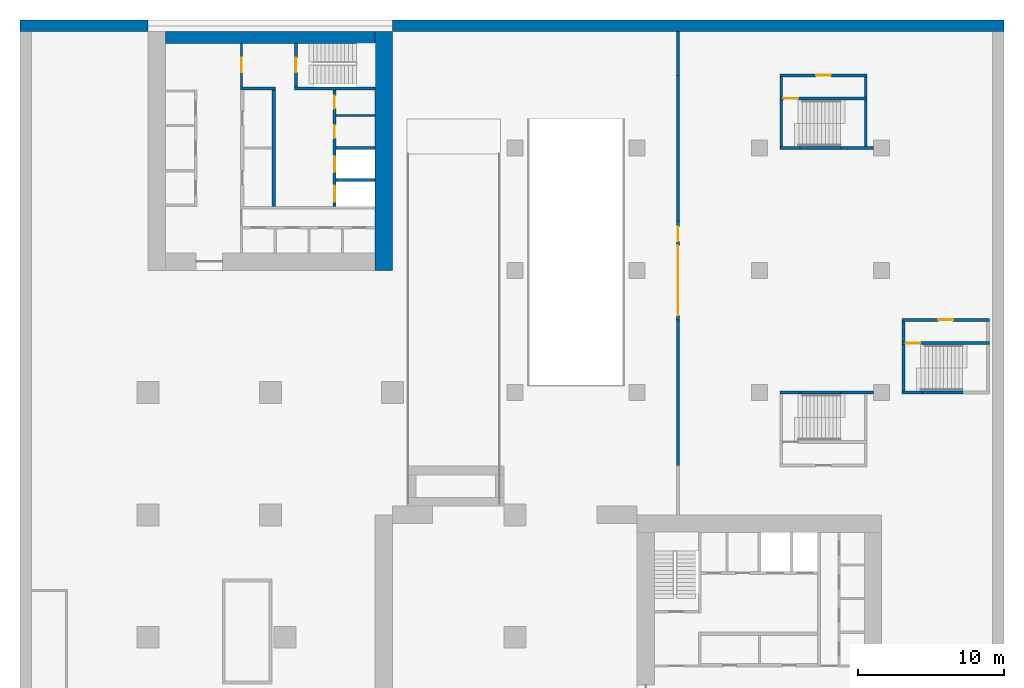
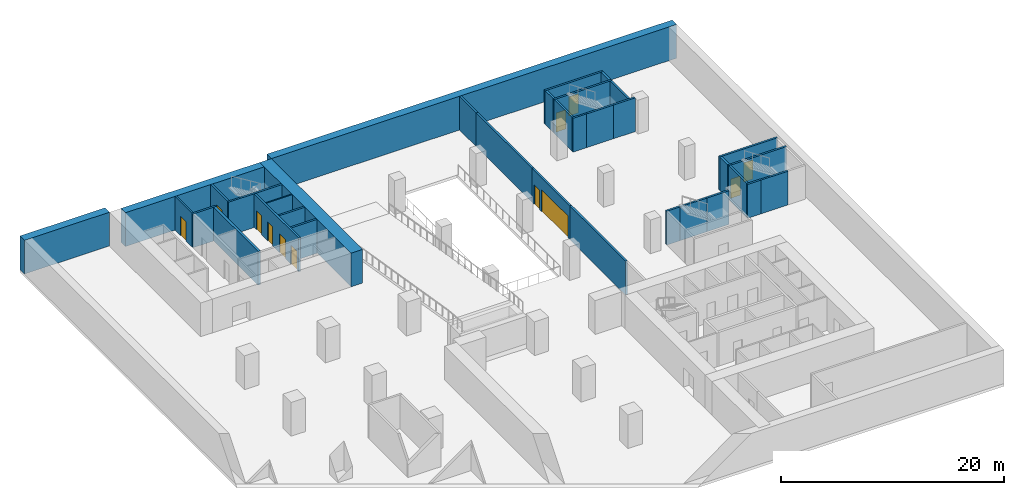
# One storey, part 5 of 7: 35 walls, 12 doors, 12 openings.
"""IFC4 building model written with IfcOpenShell, lengths in metres."""

import ifcopenshell
import ifcopenshell.guid

model = None  # the IFC model being written
_history = None  # IfcOwnerHistory: only IFC2X3 demands one
_inside = {}  # id of a spatial element -> (the spatial element, [elements in it])
_under = {}  # id of a project, library or spatial element -> (it, [spatial elements below it])
_declared = {}  # id of a project -> (the project, [libraries it declares])
_typed = {}  # id of a type object -> (the type object, [elements of that type])
_made_of = {}  # id of a material, layer set ... -> (it, [elements and type objects made of it])


def new_model(schema):
    """Start an empty IFC model of exactly this schema.

    Asked for "IFC4X3", IfcOpenShell would pick the latest addendum, in which some entities
    have other attributes; the version numbers below select the first issue.
    IFC2X3 requires an IfcOwnerHistory on every rooted entity: one is made here for all.
    """
    global model, _history
    if schema == "IFC4X3":
        model = ifcopenshell.file(schema_version=(4, 3, 0, 0))
    else:
        model = ifcopenshell.file(schema=schema)
    _inside.clear()
    _under.clear()
    _declared.clear()
    _typed.clear()
    _made_of.clear()
    _history = None
    if model.schema == "IFC2X3":
        org = make("IfcOrganization", Name="unknown")
        user = make(
            "IfcPersonAndOrganization",
            ThePerson=make("IfcPerson", FamilyName="unknown"),
            TheOrganization=org,
        )
        app = make(
            "IfcApplication",
            ApplicationDeveloper=org,
            Version="unknown",
            ApplicationFullName="unknown",
            ApplicationIdentifier="unknown",
        )
        _history = make(
            "IfcOwnerHistory",
            OwningUser=user,
            OwningApplication=app,
            ChangeAction="ADDED",
            CreationDate=0,
        )
    return model


def make(cls, **values):
    """One entity of the class cls with the attributes given. An attribute that is None is left unset."""
    return model.create_entity(
        cls, **{name: value for name, value in values.items() if value is not None}
    )


def rooted(cls, **values):
    """An entity with a GlobalId (a new one), such as an element, a storey or a relation."""
    return make(cls, GlobalId=ifcopenshell.guid.new(), OwnerHistory=_history, **values)


def si_unit(unit_type, name, prefix=None):
    """IfcSIUnit, for example si_unit("LENGTHUNIT", "METRE", prefix="MILLI")."""
    return make("IfcSIUnit", UnitType=unit_type, Prefix=prefix, Name=name)


def assignment(units):
    """IfcUnitAssignment: the units of a project."""
    return None if units is None else make("IfcUnitAssignment", Units=units)


def point(xyz):
    """IfcCartesianPoint."""
    return None if xyz is None else make("IfcCartesianPoint", Coordinates=xyz)


def direction(xyz):
    """IfcDirection."""
    return None if xyz is None else make("IfcDirection", DirectionRatios=xyz)


def frame(location, z_axis=None, x_axis=None):
    """IfcAxis2Placement3D, a coordinate frame: its origin and axes. An axis left out is left unset."""
    return make(
        "IfcAxis2Placement3D",
        Location=point(location),
        Axis=direction(z_axis),
        RefDirection=direction(x_axis),
    )


def frame_2d(location, x_axis=None):
    """IfcAxis2Placement2D, a coordinate frame in the plane: its origin and x axis."""
    return make(
        "IfcAxis2Placement2D", Location=point(location), RefDirection=direction(x_axis)
    )


def origin():
    """The frame at (0, 0, 0) with its axes left unset."""
    return frame((0.0, 0.0, 0.0))


def place(relative_to, where):
    """IfcLocalPlacement: puts the frame where relative to a parent placement (None: the world)."""
    return make(
        "IfcLocalPlacement", PlacementRelTo=relative_to, RelativePlacement=where
    )


def context(
    kind, dimensions, precision=None, world=None, true_north=None, identifier=None
):
    """IfcGeometricRepresentationContext, for example the 3D "Model" context."""
    return make(
        "IfcGeometricRepresentationContext",
        ContextIdentifier=identifier,
        ContextType=kind,
        CoordinateSpaceDimension=dimensions,
        Precision=precision,
        WorldCoordinateSystem=world,
        TrueNorth=true_north,
    )


def subcontext(parent, identifier, kind, view, scale=None):
    """IfcGeometricRepresentationSubContext, for example "Body" below "Model"."""
    return make(
        "IfcGeometricRepresentationSubContext",
        ContextIdentifier=identifier,
        ContextType=kind,
        ParentContext=parent,
        TargetScale=scale,
        TargetView=view,
    )


def project(units=None, contexts=None):
    """IfcProject with its units and contexts."""
    return rooted(
        "IfcProject",
        Name="project",
        RepresentationContexts=contexts,
        UnitsInContext=assignment(units),
    )


def spatial(cls, under=None, at=None, **own):
    """A site, building, storey or space (cls), placed at a placement, below another one or the project."""
    s = rooted(cls, ObjectPlacement=at, **own)
    if under is not None:
        _under.setdefault(under.id(), (under, []))[1].append(s)
    return s


def profile(cls, at=None, kind="AREA", **sizes):
    """A parametric profile (cls). Its sizes go by their IFC names, for example OverallWidth=200.0."""
    return make(cls, ProfileType=kind, Position=at, **sizes)


def rectangle(**sizes):
    """IfcRectangleProfileDef."""
    return profile("IfcRectangleProfileDef", **sizes)


def extrude(swept, where, along, depth):
    """IfcExtrudedAreaSolid: the profile swept, set in the frame where, extruded along a direction by depth."""
    return make(
        "IfcExtrudedAreaSolid",
        SweptArea=swept,
        Position=where,
        ExtrudedDirection=direction(along),
        Depth=depth,
    )


def shape(context_of_items, identifier, shape_type, items):
    """IfcShapeRepresentation: the items that make up one representation, for example the "Body"."""
    return make(
        "IfcShapeRepresentation",
        ContextOfItems=context_of_items,
        RepresentationIdentifier=identifier,
        RepresentationType=shape_type,
        Items=items,
    )


def material(Name=None, Category=None):
    """IfcMaterial."""
    return make("IfcMaterial", Name=Name, Category=Category)


def layer(
    of_material, thickness, ventilated=None, Name=None, Category=None, Priority=None
):
    """IfcMaterialLayer: one layer of a wall or slab, of a material (None: an air gap)."""
    return make(
        "IfcMaterialLayer",
        Material=of_material,
        LayerThickness=thickness,
        IsVentilated=ventilated,
        Name=Name,
        Category=Category,
        Priority=Priority,
    )


def layer_set(layers, Name=None):
    """IfcMaterialLayerSet."""
    return make("IfcMaterialLayerSet", MaterialLayers=layers, LayerSetName=Name)


def made_of(thing, what):
    """Note that an element or type object is made of a material, layer set ...; save() writes the relation."""
    if what is not None:
        _made_of.setdefault(what.id(), (what, []))[1].append(thing)
    return thing


def type_object(cls, material=None, **own):
    """A type object (cls), such as IfcWallType, which elements share."""
    return made_of(rooted(cls, **own), material)


def element(
    cls,
    number,
    at=None,
    inside=None,
    cuts=None,
    type_object=None,
    material=None,
    context=None,
    identifier="Body",
    shape_type=None,
    held_by="IfcProductDefinitionShape",
    body=None,
    shapes=None,
    **own,
):
    """One element of the class cls, such as IfcWall. Its Tag is "e" and its number.

    at: its placement. inside: the storey or other place that contains it. cuts: it is an
    opening in that element (IfcRelVoidsElement). A single representation is given by context,
    identifier, shape_type and body (its items); several are given by shapes. held_by: the class
    of the entity that holds the representations. save() writes the other relations.
    """
    e = rooted(cls, Tag="e%d" % number, ObjectPlacement=at, **own)
    if body is not None:
        shapes = [shape(context, identifier, shape_type, body)]
    if shapes is not None:
        e.Representation = make(held_by, Representations=shapes)
    if inside is not None:
        _inside.setdefault(inside.id(), (inside, []))[1].append(e)
    if cuts is not None:
        rooted(
            "IfcRelVoidsElement", RelatingBuildingElement=cuts, RelatedOpeningElement=e
        )
    if type_object is not None:
        _typed.setdefault(type_object.id(), (type_object, []))[1].append(e)
    return made_of(e, material)


def fill(opening, filler):
    """IfcRelFillsElement: the door or window that sits in an opening."""
    return rooted(
        "IfcRelFillsElement",
        RelatingOpeningElement=opening,
        RelatedBuildingElement=filler,
    )


def aggregate(whole, parts):
    """IfcRelAggregates: a whole, such as a stair, and the parts it consists of."""
    return rooted("IfcRelAggregates", RelatingObject=whole, RelatedObjects=parts)


def save(model, path):
    """Write the relations noted so far, then the file.

    IfcRelAggregates (storeys below a building ...), IfcRelContainedInSpatialStructure (elements
    in a storey), IfcRelDefinesByType, IfcRelAssociatesMaterial and IfcRelDeclares: one each for
    every whole, place, type object, material and project.
    """
    for whole, parts in _under.values():
        aggregate(whole, parts)
    for where, things in _inside.values():
        rooted(
            "IfcRelContainedInSpatialStructure",
            RelatedElements=things,
            RelatingStructure=where,
        )
    for kind, things in _typed.values():
        rooted("IfcRelDefinesByType", RelatedObjects=things, RelatingType=kind)
    for what, things in _made_of.values():
        rooted("IfcRelAssociatesMaterial", RelatedObjects=things, RelatingMaterial=what)
    for by, libraries in _declared.values():
        rooted("IfcRelDeclares", RelatingContext=by, RelatedDefinitions=libraries)
    model.write(path)


model = new_model("IFC4")

# Units and contexts
model_context = context("Model", 3, precision=1e-05, world=origin(), true_north=direction((0.0, 1.0)))
body_context = subcontext(model_context, "Body", "Model", "MODEL_VIEW")
ifc_project = project(units=[si_unit("LENGTHUNIT", "METRE"), si_unit("AREAUNIT", "SQUARE_METRE"), si_unit("VOLUMEUNIT", "CUBIC_METRE"), si_unit("PLANEANGLEUNIT", "RADIAN"), si_unit("MASSUNIT", "GRAM", prefix="KILO")], contexts=[model_context])

# Site, building, storey
site_placement = place(None, origin())
site = spatial("IfcSite", under=ifc_project, at=site_placement, CompositionType="ELEMENT")
building_placement = place(site_placement, origin())
building = spatial("IfcBuilding", under=site, at=building_placement, Name="Vermilion Gate Residences", CompositionType="ELEMENT")
storey_placement = place(building_placement, frame((0.0, 0.0, -12.0)))
storey = spatial("IfcBuildingStorey", under=building, at=storey_placement, Name="B3", CompositionType="ELEMENT", Elevation=-12.0)

# Wall
ifc_material_1 = material(Name="Masonry blockwork", Category="masonry")
ifc_layer_1 = layer(ifc_material_1, 0.14990234375)
ifc_layer_set_1 = layer_set([ifc_layer_1], Name="BLOCKWORK PARTITION 150 EI 120")
wall_type_1 = type_object("IfcWallType", Name="BLOCKWORK PARTITION 150 EI 120", PredefinedType="PARTITIONING", material=ifc_layer_set_1)
wall_1_placement = place(storey_placement, frame((21.300048828125, 52.637451171875, 0.0), z_axis=(0.0, 0.0, 1.0), x_axis=(1.0, 0.0, 0.0)))
element("IfcWall", 1, at=wall_1_placement, inside=storey, type_object=wall_type_1, Name="Core room partition BB3-NR-P0", PredefinedType="PARTITIONING", context=body_context, shape_type="SweptSolid", body=[
    extrude(rectangle(XDim=2.699951171875, YDim=0.14990234375, at=frame_2d((1.35009765625, 0.0))), origin(), (0.0, 0.0, 1.0), 3.699951171875),
])

# Wall, opening, door
wall_2_placement = place(storey_placement, frame((14.824951171875, 57.60009765625, 0.0), z_axis=(0.0, 0.0, 1.0), x_axis=(0.0, -1.0, 0.0)))
wall_2 = element("IfcWall", 2, at=wall_2_placement, inside=storey, type_object=wall_type_1, Name="Core room partition BB3-VW-S", PredefinedType="PARTITIONING", context=body_context, shape_type="SweptSolid", body=[
    extrude(rectangle(XDim=3.0, YDim=0.14990234375, at=frame_2d((1.5, 0.0))), origin(), (0.0, 0.0, 1.0), 3.699951171875),
])
opening_1_placement = place(wall_2_placement, frame((1.0, 0.0, 0.0)))
opening_1 = element("IfcOpeningElement", 3, at=opening_1_placement, cuts=wall_2, Name="Opening DKB3111", PredefinedType="OPENING", context=body_context, shape_type="SweptSolid", body=[
    extrude(rectangle(XDim=1.0, YDim=2.10009765625, at=frame_2d((0.5, 1.050048828125))), frame((0.0, 0.0849609375, 0.0), z_axis=(0.0, -1.0, 0.0), x_axis=(1.0, 0.0, 0.0)), (0.0, 0.0, 1.0), 0.169921875),
])
ifc_material_2 = material(Name="Steel", Category="steel")
door_type_1 = type_object("IfcDoorType", Name="FIRE DOOR FD60 1000 X 2100", OperationType="SINGLE_SWING_LEFT", PredefinedType="DOOR", material=ifc_material_2)
door_1_placement = place(opening_1_placement, frame((1.0, 0.0, 0.0), z_axis=(0.0, 0.0, 1.0), x_axis=(-1.0, 0.0, 0.0)))
door_1 = element("IfcDoor", 4, at=door_1_placement, inside=storey, type_object=door_type_1, Name="Stair vestibule door BB3", OperationType="SINGLE_SWING_RIGHT", OverallHeight=2.10009765625, OverallWidth=1.0, PredefinedType="DOOR", context=body_context, shape_type="SweptSolid", body=[
    extrude(rectangle(XDim=1.0, YDim=2.10009765625, at=frame_2d((0.5, 1.050048828125))), frame((0.0, 0.02490234375, 0.0), z_axis=(0.0, -1.0, 0.0), x_axis=(1.0, 0.0, 0.0)), (0.0, 0.0, 1.0), 0.050048828125),
])
fill(opening_1, door_1)

# Wall
ifc_material_3 = material(Name="Concrete blockwork", Category="masonry")
ifc_layer_2 = layer(ifc_material_3, 0.199951171875)
ifc_layer_set_2 = layer_set([ifc_layer_2], Name="GARAGE FIRE WALL 200 EI 120 (AMENITY)")
wall_type_2 = type_object("IfcWallType", Name="GARAGE FIRE WALL 200 EI 120 (AMENITY)", PredefinedType="PARTITIONING", material=ifc_layer_set_2)
wall_3_placement = place(storey_placement, frame((44.800048828125, 28.60009765625, 0.0), z_axis=(0.0, 0.0, 1.0), x_axis=(0.0, 1.0, 0.0)))
element("IfcWall", 5, at=wall_3_placement, inside=storey, type_object=wall_type_2, Name="Fire compartment wall", PredefinedType="PARTITIONING", context=body_context, shape_type="SweptSolid", body=[
    extrude(rectangle(XDim=10.0, YDim=0.199951171875, at=frame_2d((5.0, 0.0))), origin(), (0.0, 0.0, 1.0), 3.699951171875),
])

# Wall, openings, doors
wall_4_placement = place(storey_placement, frame((44.800048828125, 38.60009765625, 0.0), z_axis=(0.0, 0.0, 1.0), x_axis=(0.0, 1.0, 0.0)))
wall_4 = element("IfcWall", 6, at=wall_4_placement, inside=storey, type_object=wall_type_2, Name="Fire compartment wall", PredefinedType="PARTITIONING", context=body_context, shape_type="SweptSolid", body=[
    extrude(rectangle(XDim=6.7998046875, YDim=0.199951171875, at=frame_2d((3.39990234375, 0.0))), origin(), (0.0, 0.0, 1.0), 3.699951171875),
])
opening_2_placement = place(wall_4_placement, frame((0.300048828125, 0.0, 0.0)))
opening_2 = element("IfcOpeningElement", 7, at=opening_2_placement, cuts=wall_4, Name="Opening DGB3001", PredefinedType="OPENING", context=body_context, shape_type="SweptSolid", body=[
    extrude(rectangle(XDim=4.800048828125, YDim=2.39990234375, at=frame_2d((2.39990234375, 1.199951171875))), frame((0.0, 0.10986328125, 0.0), z_axis=(0.0, -1.0, 0.0), x_axis=(1.0, 0.0, 0.0)), (0.0, 0.0, 1.0), 0.219970703125),
])
opening_3_placement = place(wall_4_placement, frame((5.39990234375, 0.0, 0.0)))
opening_3 = element("IfcOpeningElement", 8, at=opening_3_placement, cuts=wall_4, Name="Opening DGB3002", PredefinedType="OPENING", context=body_context, shape_type="SweptSolid", body=[
    extrude(rectangle(XDim=1.0, YDim=2.10009765625, at=frame_2d((0.5, 1.050048828125))), frame((0.0, 0.10986328125, 0.0), z_axis=(0.0, -1.0, 0.0), x_axis=(1.0, 0.0, 0.0)), (0.0, 0.0, 1.0), 0.219970703125),
])
ifc_material_4 = material(Name="Steel", Category="steel")
door_type_2 = type_object("IfcDoorType", Name="DOOR 1000 X 2100 FD120 (AMENITY)", OperationType="SINGLE_SWING_LEFT", PredefinedType="DOOR", material=ifc_material_4)
door_2_placement = place(opening_3_placement, frame((1.0, 0.0, 0.0), z_axis=(0.0, 0.0, 1.0), x_axis=(-1.0, 0.0, 0.0)))
door_2 = element("IfcDoor", 9, at=door_2_placement, inside=storey, type_object=door_type_2, Name="Fire door", OperationType="SINGLE_SWING_RIGHT", OverallHeight=2.10009765625, OverallWidth=1.0, PredefinedType="DOOR", context=body_context, shape_type="SweptSolid", body=[
    extrude(rectangle(XDim=1.0, YDim=2.10009765625, at=frame_2d((0.5, 1.050048828125))), frame((0.0, 0.02490234375, 0.0), z_axis=(0.0, -1.0, 0.0), x_axis=(1.0, 0.0, 0.0)), (0.0, 0.0, 1.0), 0.050048828125),
])
fill(opening_3, door_2)
ifc_material_5 = material(Name="Steel", Category="steel")
door_type_3 = type_object("IfcDoorType", Name="FIRE SHUTTER 4800 X 2400 (AMENITY)", OperationType="ROLLINGUP", PredefinedType="GATE", material=ifc_material_5)
door_3_placement = place(opening_2_placement, origin())
door_3 = element("IfcDoor", 10, at=door_3_placement, inside=storey, type_object=door_type_3, Name="Fire shutter", OperationType="ROLLINGUP", OverallHeight=2.39990234375, OverallWidth=4.800048828125, PredefinedType="GATE", context=body_context, shape_type="SweptSolid", body=[
    extrude(rectangle(XDim=4.800048828125, YDim=2.39990234375, at=frame_2d((2.39990234375, 1.199951171875))), frame((0.0, 0.02490234375, 0.0), z_axis=(0.0, -1.0, 0.0), x_axis=(1.0, 0.0, 0.0)), (0.0, 0.0, 1.0), 0.050048828125),
])
fill(opening_2, door_3)

# Walls
wall_5_placement = place(storey_placement, frame((44.800048828125, 45.39990234375, 0.0), z_axis=(0.0, 0.0, 1.0), x_axis=(0.0, 1.0, 0.0)))
element("IfcWall", 11, at=wall_5_placement, inside=storey, type_object=wall_type_2, Name="Fire compartment wall", PredefinedType="PARTITIONING", context=body_context, shape_type="SweptSolid", body=[
    extrude(rectangle(XDim=10.0, YDim=0.199951171875, at=frame_2d((5.0, 0.0))), origin(), (0.0, 0.0, 1.0), 3.699951171875),
])
wall_6_placement = place(storey_placement, frame((44.800048828125, 55.39990234375, 0.0), z_axis=(0.0, 0.0, 1.0), x_axis=(0.0, 1.0, 0.0)))
element("IfcWall", 12, at=wall_6_placement, inside=storey, type_object=wall_type_2, Name="Fire compartment wall", PredefinedType="PARTITIONING", context=body_context, shape_type="SweptSolid", body=[
    extrude(rectangle(XDim=3.0, YDim=0.199951171875, at=frame_2d((1.5, 0.0))), origin(), (0.0, 0.0, 1.0), 3.699951171875),
])
ifc_material_6 = material(Name="Concrete C60", Category="concrete")
ifc_layer_3 = layer(ifc_material_6, 0.199951171875)
ifc_layer_set_3 = layer_set([ifc_layer_3], Name="RC CORE INTERNAL WALL 200 C60")
wall_type_3 = type_object("IfcWallType", Name="RC CORE INTERNAL WALL 200 C60", PredefinedType="SHEAR", material=ifc_layer_set_3)
for number, where, z_axis, x_axis, name in (
    (13, (21.300048828125, 50.39990234375, 0.0), (0.0, 0.0, 1.0), (1.0, 0.0, 0.0), "Core internal wall BB3-FF-D0"),
    (14, (21.300048828125, 48.199951171875, 0.0), (0.0, 0.0, 1.0), (1.0, 0.0, 0.0), "Core internal wall BB3-FF-D1"),
):
    element("IfcWall", number, at=place(storey_placement, frame(where, z_axis=z_axis, x_axis=x_axis)), inside=storey, type_object=wall_type_3, Name=name, PredefinedType="SHEAR", context=body_context, shape_type="SweptSolid", body=[
        extrude(rectangle(XDim=2.699951171875, YDim=0.199951171875, at=frame_2d((1.35009765625, 0.0))), origin(), (0.0, 0.0, 1.0), 3.699951171875),
    ])

# Wall, openings, doors
wall_7_placement = place(storey_placement, frame((21.199951171875, 54.39990234375, 0.0), z_axis=(0.0, 0.0, 1.0), x_axis=(0.0, -1.0, 0.0)))
wall_7 = element("IfcWall", 15, at=wall_7_placement, inside=storey, type_object=wall_type_3, Name="Core internal wall BB3-FF-F", PredefinedType="SHEAR", context=body_context, shape_type="SweptSolid", body=[
    extrude(rectangle(XDim=8.0, YDim=0.199951171875, at=frame_2d((4.0, 0.0))), origin(), (0.0, 0.0, 1.0), 3.699951171875),
])
opening_4_placement = place(wall_7_placement, frame((0.393798828125, 0.0, 0.0)))
opening_4 = element("IfcOpeningElement", 16, at=opening_4_placement, cuts=wall_7, Name="Opening DKB3107", PredefinedType="OPENING", context=body_context, shape_type="SweptSolid", body=[
    extrude(rectangle(XDim=0.89990234375, YDim=2.10009765625, at=frame_2d((0.449951171875, 1.050048828125))), frame((0.0, 0.10986328125, 0.0), z_axis=(0.0, -1.0, 0.0), x_axis=(1.0, 0.0, 0.0)), (0.0, 0.0, 1.0), 0.219970703125),
])
opening_5_placement = place(wall_7_placement, frame((2.418701171875, 0.0, 0.0)))
opening_5 = element("IfcOpeningElement", 17, at=opening_5_placement, cuts=wall_7, Name="Opening DKB3108", PredefinedType="OPENING", context=body_context, shape_type="SweptSolid", body=[
    extrude(rectangle(XDim=0.89990234375, YDim=2.10009765625, at=frame_2d((0.449951171875, 1.050048828125))), frame((0.0, 0.10986328125, 0.0), z_axis=(0.0, -1.0, 0.0), x_axis=(1.0, 0.0, 0.0)), (0.0, 0.0, 1.0), 0.219970703125),
])
opening_6_placement = place(wall_7_placement, frame((4.550048828125, 0.0, 0.0)))
opening_6 = element("IfcOpeningElement", 18, at=opening_6_placement, cuts=wall_7, Name="Opening LD", PredefinedType="OPENING", context=body_context, shape_type="SweptSolid", body=[
    extrude(rectangle(XDim=1.10009765625, YDim=2.10009765625, at=frame_2d((0.550048828125, 1.050048828125))), frame((0.0, 0.10986328125, 0.0), z_axis=(0.0, -1.0, 0.0), x_axis=(1.0, 0.0, 0.0)), (0.0, 0.0, 1.0), 0.219970703125),
])
opening_7_placement = place(wall_7_placement, frame((6.60009765625, 0.0, 0.0)))
opening_7 = element("IfcOpeningElement", 19, at=opening_7_placement, cuts=wall_7, Name="Opening LD", PredefinedType="OPENING", context=body_context, shape_type="SweptSolid", body=[
    extrude(rectangle(XDim=1.10009765625, YDim=2.10009765625, at=frame_2d((0.550048828125, 1.050048828125))), frame((0.0, 0.10986328125, 0.0), z_axis=(0.0, -1.0, 0.0), x_axis=(1.0, 0.0, 0.0)), (0.0, 0.0, 1.0), 0.219970703125),
])
ifc_material_7 = material(Name="Stainless steel", Category="steel")
door_type_4 = type_object("IfcDoorType", Name="LIFT LANDING DOOR E60 1100 X 2100", OperationType="DOUBLE_DOOR_SLIDING", PredefinedType="DOOR", material=ifc_material_7)
door_4_placement = place(opening_6_placement, origin())
door_4 = element("IfcDoor", 20, at=door_4_placement, inside=storey, type_object=door_type_4, Name="Lift landing door LFB1", OperationType="DOUBLE_DOOR_SLIDING", OverallHeight=2.10009765625, OverallWidth=1.10009765625, PredefinedType="DOOR", context=body_context, shape_type="SweptSolid", body=[
    extrude(rectangle(XDim=1.10009765625, YDim=2.10009765625, at=frame_2d((0.550048828125, 1.050048828125))), frame((0.0, 0.02490234375, 0.0), z_axis=(0.0, -1.0, 0.0), x_axis=(1.0, 0.0, 0.0)), (0.0, 0.0, 1.0), 0.050048828125),
])
fill(opening_6, door_4)
door_5_placement = place(opening_7_placement, origin())
door_5 = element("IfcDoor", 21, at=door_5_placement, inside=storey, type_object=door_type_4, Name="Lift landing door LCB1", OperationType="DOUBLE_DOOR_SLIDING", OverallHeight=2.10009765625, OverallWidth=1.10009765625, PredefinedType="DOOR", context=body_context, shape_type="SweptSolid", body=[
    extrude(rectangle(XDim=1.10009765625, YDim=2.10009765625, at=frame_2d((0.550048828125, 1.050048828125))), frame((0.0, 0.02490234375, 0.0), z_axis=(0.0, -1.0, 0.0), x_axis=(1.0, 0.0, 0.0)), (0.0, 0.0, 1.0), 0.050048828125),
])
fill(opening_7, door_5)
ifc_material_8 = material(Name="Steel", Category="steel")
door_type_5 = type_object("IfcDoorType", Name="SERVICE ROOM DOOR FD60 900 X 2100", OperationType="SINGLE_SWING_LEFT", PredefinedType="DOOR", material=ifc_material_8)
door_6_placement = place(opening_4_placement, origin())
door_6 = element("IfcDoor", 22, at=door_6_placement, inside=storey, type_object=door_type_5, Name="Parcel room BB3", OperationType="SINGLE_SWING_RIGHT", OverallHeight=2.10009765625, OverallWidth=0.89990234375, PredefinedType="DOOR", context=body_context, shape_type="SweptSolid", body=[
    extrude(rectangle(XDim=0.89990234375, YDim=2.10009765625, at=frame_2d((0.449951171875, 1.050048828125))), frame((0.0, 0.02490234375, 0.0), z_axis=(0.0, -1.0, 0.0), x_axis=(1.0, 0.0, 0.0)), (0.0, 0.0, 1.0), 0.050048828125),
])
fill(opening_4, door_6)
door_7_placement = place(opening_5_placement, frame((0.89990234375, 0.0, 0.0), z_axis=(0.0, 0.0, 1.0), x_axis=(-1.0, 0.0, 0.0)))
door_7 = element("IfcDoor", 23, at=door_7_placement, inside=storey, type_object=door_type_5, Name="Electrical room BB3", OperationType="SINGLE_SWING_RIGHT", OverallHeight=2.10009765625, OverallWidth=0.89990234375, PredefinedType="DOOR", context=body_context, shape_type="SweptSolid", body=[
    extrude(rectangle(XDim=0.89990234375, YDim=2.10009765625, at=frame_2d((0.449951171875, 1.050048828125))), frame((0.0, 0.02490234375, 0.0), z_axis=(0.0, -1.0, 0.0), x_axis=(1.0, 0.0, 0.0)), (0.0, 0.0, 1.0), 0.050048828125),
])
fill(opening_5, door_7)

# Walls
wall_8_placement = place(storey_placement, frame((14.75, 54.5, 0.0), z_axis=(0.0, 0.0, 1.0), x_axis=(1.0, 0.0, 0.0)))
element("IfcWall", 24, at=wall_8_placement, inside=storey, type_object=wall_type_3, Name="Core internal wall BB3-WDIV1", PredefinedType="SHEAR", context=body_context, shape_type="SweptSolid", body=[
    extrude(rectangle(XDim=2.39990234375, YDim=0.199951171875, at=frame_2d((1.199951171875, 0.0))), origin(), (0.0, 0.0, 1.0), 3.699951171875),
])
wall_9_placement = place(storey_placement, frame((18.449951171875, 54.5, 0.0), z_axis=(0.0, 0.0, 1.0), x_axis=(1.0, 0.0, 0.0)))
element("IfcWall", 25, at=wall_9_placement, inside=storey, type_object=wall_type_3, Name="Core internal wall BB3-WDIV2", PredefinedType="SHEAR", context=body_context, shape_type="SweptSolid", body=[
    extrude(rectangle(XDim=5.550048828125, YDim=0.199951171875, at=frame_2d((2.77490234375, 0.0))), origin(), (0.0, 0.0, 1.0), 3.699951171875),
])

# Wall, opening, door
wall_10_placement = place(storey_placement, frame((18.550048828125, 57.60009765625, 0.0), z_axis=(0.0, 0.0, 1.0), x_axis=(0.0, -1.0, 0.0)))
wall_10 = element("IfcWall", 26, at=wall_10_placement, inside=storey, type_object=wall_type_3, Name="Core internal wall BB3-STW-S", PredefinedType="SHEAR", context=body_context, shape_type="SweptSolid", body=[
    extrude(rectangle(XDim=3.0, YDim=0.199951171875, at=frame_2d((1.5, 0.0))), origin(), (0.0, 0.0, 1.0), 3.699951171875),
])
opening_8_placement = place(wall_10_placement, frame((1.0, 0.0, 0.0)))
opening_8 = element("IfcOpeningElement", 27, at=opening_8_placement, cuts=wall_10, Name="Opening DKB3112", PredefinedType="OPENING", context=body_context, shape_type="SweptSolid", body=[
    extrude(rectangle(XDim=1.0, YDim=2.10009765625, at=frame_2d((0.5, 1.050048828125))), frame((0.0, 0.10986328125, 0.0), z_axis=(0.0, -1.0, 0.0), x_axis=(1.0, 0.0, 0.0)), (0.0, 0.0, 1.0), 0.219970703125),
])
door_8_placement = place(opening_8_placement, origin())
door_8 = element("IfcDoor", 28, at=door_8_placement, inside=storey, type_object=door_type_1, Name="Stair door BB3", OperationType="SINGLE_SWING_LEFT", OverallHeight=2.10009765625, OverallWidth=1.0, PredefinedType="DOOR", context=body_context, shape_type="SweptSolid", body=[
    extrude(rectangle(XDim=1.0, YDim=2.10009765625, at=frame_2d((0.5, 1.050048828125))), frame((0.0, 0.02490234375, 0.0), z_axis=(0.0, -1.0, 0.0), x_axis=(1.0, 0.0, 0.0)), (0.0, 0.0, 1.0), 0.050048828125),
])
fill(opening_8, door_8)

# Walls
ifc_material_9 = material(Name="Concrete C80", Category="concrete")
ifc_layer_4 = layer(ifc_material_9, 1.199951171875)
ifc_layer_set_4 = layer_set([ifc_layer_4], Name="RC CORE WALL 1200 C80")
wall_type_4 = type_object("IfcWallType", Name="RC CORE WALL 1200 C80", PredefinedType="SHEAR", material=ifc_layer_set_4)
wall_11_placement = place(storey_placement, frame((24.60009765625, 58.39990234375, 0.0), z_axis=(0.0, 0.0, 1.0), x_axis=(0.0, -1.0, 0.0)))
element("IfcWall", 29, at=wall_11_placement, inside=storey, type_object=wall_type_4, Name="Core wall BB3-OUT-B1", PredefinedType="SHEAR", context=body_context, shape_type="SweptSolid", body=[
    extrude(rectangle(XDim=16.39990234375, YDim=1.199951171875, at=frame_2d((8.199951171875, 0.0))), origin(), (0.0, 0.0, 1.0), 3.699951171875),
])
ifc_material_10 = material(Name="Concrete C80", Category="concrete")
ifc_layer_5 = layer(ifc_material_10, 0.800048828125)
ifc_layer_set_5 = layer_set([ifc_layer_5], Name="RC CORE WALL 800 C80")
wall_type_5 = type_object("IfcWallType", Name="RC CORE WALL 800 C80", PredefinedType="SHEAR", material=ifc_layer_set_5)
wall_12_placement = place(storey_placement, frame((9.60009765625, 58.0, 0.0), z_axis=(0.0, 0.0, 1.0), x_axis=(1.0, 0.0, 0.0)))
element("IfcWall", 30, at=wall_12_placement, inside=storey, type_object=wall_type_5, Name="Core wall BB3-OUT-FR", PredefinedType="SHEAR", context=body_context, shape_type="SweptSolid", body=[
    extrude(rectangle(XDim=14.39990234375, YDim=0.800048828125, at=frame_2d((7.199951171875, 0.0))), origin(), (0.0, 0.0, 1.0), 3.699951171875),
])
ifc_material_11 = material(Name="Concrete C40", Category="concrete")
ifc_layer_6 = layer(ifc_material_11, 0.800048828125)
ifc_layer_set_6 = layer_set([ifc_layer_6], Name="RC DIAPHRAGM WALL 800 C40")
wall_type_6 = type_object("IfcWallType", Name="RC DIAPHRAGM WALL 800 C40", PredefinedType="SOLIDWALL", material=ifc_layer_set_6)
wall_13_placement = place(storey_placement, frame((25.199951171875, 58.800048828125, 0.0), z_axis=(0.0, 0.0, 1.0), x_axis=(1.0, 0.0, 0.0)))
element("IfcWall", 31, at=wall_13_placement, inside=storey, type_object=wall_type_6, Name="Diaphragm wall B3 1", PredefinedType="SOLIDWALL", context=body_context, shape_type="SweptSolid", body=[
    extrude(rectangle(XDim=42.0, YDim=0.800048828125, at=frame_2d((21.0, 0.0))), origin(), (0.0, 0.0, 1.0), 3.699951171875),
])
wall_14_placement = place(storey_placement, frame((-0.39990234375, 58.800048828125, 0.0), z_axis=(0.0, 0.0, 1.0), x_axis=(1.0, 0.0, 0.0)))
element("IfcWall", 32, at=wall_14_placement, inside=storey, type_object=wall_type_6, Name="Diaphragm wall B3 2", PredefinedType="SOLIDWALL", context=body_context, shape_type="SweptSolid", body=[
    extrude(rectangle(XDim=8.7998046875, YDim=0.800048828125, at=frame_2d((4.39990234375, 0.0))), origin(), (0.0, 0.0, 1.0), 3.699951171875),
])
ifc_material_12 = material(Name="Concrete C60", Category="concrete")
ifc_layer_7 = layer(ifc_material_12, 0.25)
ifc_layer_set_7 = layer_set([ifc_layer_7], Name="RC LIFT SHAFT WALL 250 C60")
wall_type_7 = type_object("IfcWallType", Name="RC LIFT SHAFT WALL 250 C60", PredefinedType="SHEAR", material=ifc_layer_set_7)
wall_15_placement = place(storey_placement, frame((17.02490234375, 54.39990234375, 0.0), z_axis=(0.0, 0.0, 1.0), x_axis=(0.0, -1.0, 0.0)))
element("IfcWall", 33, at=wall_15_placement, inside=storey, type_object=wall_type_7, Name="Lift shaft wall BB3-HR-B", PredefinedType="SHEAR", context=body_context, shape_type="SweptSolid", body=[
    extrude(rectangle(XDim=8.0, YDim=0.25, at=frame_2d((4.0, 0.0))), origin(), (0.0, 0.0, 1.0), 3.699951171875),
])
ifc_material_13 = material(Name="Concrete C40", Category="concrete")
ifc_layer_8 = layer(ifc_material_13, 0.199951171875)
ifc_layer_set_8 = layer_set([ifc_layer_8], Name="RC STAIR AND SHAFT WALL 200 EI 180 C40 (AMENITY)")
wall_type_8 = type_object("IfcWallType", Name="RC STAIR AND SHAFT WALL 200 EI 180 C40 (AMENITY)", PredefinedType="SOLIDWALL", material=ifc_layer_set_8)
wall_16_placement = place(storey_placement, frame((51.800048828125, 33.60009765625, 0.0), z_axis=(0.0, 0.0, 1.0), x_axis=(1.0, 0.0, 0.0)))
element("IfcWall", 34, at=wall_16_placement, inside=storey, type_object=wall_type_8, Name="Stair and shaft wall 15", PredefinedType="SOLIDWALL", context=body_context, shape_type="SweptSolid", body=[
    extrude(rectangle(XDim=1.39990234375, YDim=0.199951171875, at=frame_2d((0.699951171875, 0.0))), origin(), (0.0, 0.0, 1.0), 3.699951171875),
])
wall_17_placement = place(storey_placement, frame((51.89990234375, 50.5, 0.0), z_axis=(0.0, 0.0, 1.0), x_axis=(0.0, 1.0, 0.0)))
element("IfcWall", 35, at=wall_17_placement, inside=storey, type_object=wall_type_8, Name="Stair and shaft wall 16", PredefinedType="SOLIDWALL", context=body_context, shape_type="SweptSolid", body=[
    extrude(rectangle(XDim=3.199951171875, YDim=0.199951171875, at=frame_2d((1.60009765625, 0.0))), origin(), (0.0, 0.0, 1.0), 3.699951171875),
])
wall_18_placement = place(storey_placement, frame((51.800048828125, 50.39990234375, 0.0), z_axis=(0.0, 0.0, 1.0), x_axis=(1.0, 0.0, 0.0)))
element("IfcWall", 36, at=wall_18_placement, inside=storey, type_object=wall_type_8, Name="Stair and shaft wall 17", PredefinedType="SOLIDWALL", context=body_context, shape_type="SweptSolid", body=[
    extrude(rectangle(XDim=1.39990234375, YDim=0.199951171875, at=frame_2d((0.699951171875, 0.0))), origin(), (0.0, 0.0, 1.0), 3.699951171875),
])
wall_19_placement = place(storey_placement, frame((51.89990234375, 53.89990234375, 0.0), z_axis=(0.0, 0.0, 1.0), x_axis=(0.0, 1.0, 0.0)))
element("IfcWall", 37, at=wall_19_placement, inside=storey, type_object=wall_type_8, Name="Stair and shaft wall 18", PredefinedType="SOLIDWALL", context=body_context, shape_type="SweptSolid", body=[
    extrude(rectangle(XDim=1.400146484375, YDim=0.199951171875, at=frame_2d((0.7001953125, 0.0))), origin(), (0.0, 0.0, 1.0), 3.699951171875),
])

# Wall, opening, door
wall_20_placement = place(storey_placement, frame((51.800048828125, 53.800048828125, 0.0), z_axis=(0.0, 0.0, 1.0), x_axis=(1.0, 0.0, 0.0)))
wall_20 = element("IfcWall", 38, at=wall_20_placement, inside=storey, type_object=wall_type_8, Name="Stair and shaft wall 19", PredefinedType="SOLIDWALL", context=body_context, shape_type="SweptSolid", body=[
    extrude(rectangle(XDim=6.0, YDim=0.199951171875, at=frame_2d((3.0, 0.0))), origin(), (0.0, 0.0, 1.0), 3.699951171875),
])
opening_9_placement = place(wall_20_placement, frame((0.25, 0.0, 0.0)))
opening_9 = element("IfcOpeningElement", 39, at=opening_9_placement, cuts=wall_20, Name="Opening DMB3007", PredefinedType="OPENING", context=body_context, shape_type="SweptSolid", body=[
    extrude(rectangle(XDim=1.0, YDim=2.10009765625, at=frame_2d((0.5, 1.050048828125))), frame((0.0, 0.10986328125, 0.0), z_axis=(0.0, -1.0, 0.0), x_axis=(1.0, 0.0, 0.0)), (0.0, 0.0, 1.0), 0.219970703125),
])
ifc_material_14 = material(Name="Steel", Category="steel")
door_type_6 = type_object("IfcDoorType", Name="DOOR 1000 X 2100 FD60 (AMENITY)", OperationType="SINGLE_SWING_LEFT", PredefinedType="DOOR", material=ifc_material_14)
door_9_placement = place(opening_9_placement, frame((1.0, 0.0, 0.0), z_axis=(0.0, 0.0, 1.0), x_axis=(-1.0, 0.0, 0.0)))
door_9 = element("IfcDoor", 40, at=door_9_placement, inside=storey, type_object=door_type_6, Name="Door B3 7", OperationType="SINGLE_SWING_RIGHT", OverallHeight=2.10009765625, OverallWidth=1.0, PredefinedType="DOOR", context=body_context, shape_type="SweptSolid", body=[
    extrude(rectangle(XDim=1.0, YDim=2.10009765625, at=frame_2d((0.5, 1.050048828125))), frame((0.0, 0.02490234375, 0.0), z_axis=(0.0, -1.0, 0.0), x_axis=(1.0, 0.0, 0.0)), (0.0, 0.0, 1.0), 0.050048828125),
])
fill(opening_9, door_9)

wall_21_placement = place(storey_placement, frame((51.800048828125, 55.39990234375, 0.0), z_axis=(0.0, 0.0, 1.0), x_axis=(1.0, 0.0, 0.0)))
wall_21 = element("IfcWall", 41, at=wall_21_placement, inside=storey, type_object=wall_type_8, Name="Stair and shaft wall 20", PredefinedType="SOLIDWALL", context=body_context, shape_type="SweptSolid", body=[
    extrude(rectangle(XDim=6.0, YDim=0.199951171875, at=frame_2d((3.0, 0.0))), origin(), (0.0, 0.0, 1.0), 3.699951171875),
])
opening_10_placement = place(wall_21_placement, frame((2.5, 0.0, 0.0)))
opening_10 = element("IfcOpeningElement", 42, at=opening_10_placement, cuts=wall_21, Name="Opening DMB3006", PredefinedType="OPENING", context=body_context, shape_type="SweptSolid", body=[
    extrude(rectangle(XDim=1.0, YDim=2.10009765625, at=frame_2d((0.5, 1.050048828125))), frame((0.0, 0.10986328125, 0.0), z_axis=(0.0, -1.0, 0.0), x_axis=(1.0, 0.0, 0.0)), (0.0, 0.0, 1.0), 0.219970703125),
])
door_10_placement = place(opening_10_placement, origin())
door_10 = element("IfcDoor", 43, at=door_10_placement, inside=storey, type_object=door_type_6, Name="Door B3 6", OperationType="SINGLE_SWING_LEFT", OverallHeight=2.10009765625, OverallWidth=1.0, PredefinedType="DOOR", context=body_context, shape_type="SweptSolid", body=[
    extrude(rectangle(XDim=1.0, YDim=2.10009765625, at=frame_2d((0.5, 1.050048828125))), frame((0.0, 0.02490234375, 0.0), z_axis=(0.0, -1.0, 0.0), x_axis=(1.0, 0.0, 0.0)), (0.0, 0.0, 1.0), 0.050048828125),
])
fill(opening_10, door_10)

# Walls
for number, where, z_axis, x_axis, name in (
    (44, (53.199951171875, 33.60009765625, 0.0), (0.0, 0.0, 1.0), (1.0, 0.0, 0.0), "Stair and shaft wall 21"),
    (45, (53.199951171875, 50.39990234375, 0.0), (0.0, 0.0, 1.0), (1.0, 0.0, 0.0), "Stair and shaft wall 22"),
):
    element("IfcWall", number, at=place(storey_placement, frame(where, z_axis=z_axis, x_axis=x_axis)), inside=storey, type_object=wall_type_8, Name=name, PredefinedType="SOLIDWALL", context=body_context, shape_type="SweptSolid", body=[
        extrude(rectangle(XDim=2.800048828125, YDim=0.199951171875, at=frame_2d((1.39990234375, 0.0))), origin(), (0.0, 0.0, 1.0), 3.699951171875),
    ])
for number, where, z_axis, x_axis, name in (
    (46, (56.0, 33.60009765625, 0.0), (0.0, 0.0, 1.0), (1.0, 0.0, 0.0), "Stair and shaft wall 23"),
    (47, (56.0, 50.39990234375, 0.0), (0.0, 0.0, 1.0), (1.0, 0.0, 0.0), "Stair and shaft wall 24"),
):
    element("IfcWall", number, at=place(storey_placement, frame(where, z_axis=z_axis, x_axis=x_axis)), inside=storey, type_object=wall_type_8, Name=name, PredefinedType="SOLIDWALL", context=body_context, shape_type="SweptSolid", body=[
        extrude(rectangle(XDim=2.25, YDim=0.199951171875, at=frame_2d((1.125, 0.0))), origin(), (0.0, 0.0, 1.0), 3.699951171875),
    ])
wall_22_placement = place(storey_placement, frame((57.699951171875, 50.5, 0.0), z_axis=(0.0, 0.0, 1.0), x_axis=(0.0, 1.0, 0.0)))
element("IfcWall", 48, at=wall_22_placement, inside=storey, type_object=wall_type_8, Name="Stair and shaft wall 27", PredefinedType="SOLIDWALL", context=body_context, shape_type="SweptSolid", body=[
    extrude(rectangle(XDim=3.199951171875, YDim=0.199951171875, at=frame_2d((1.60009765625, 0.0))), origin(), (0.0, 0.0, 1.0), 3.699951171875),
])
wall_23_placement = place(storey_placement, frame((57.699951171875, 53.89990234375, 0.0), z_axis=(0.0, 0.0, 1.0), x_axis=(0.0, 1.0, 0.0)))
element("IfcWall", 49, at=wall_23_placement, inside=storey, type_object=wall_type_8, Name="Stair and shaft wall 28", PredefinedType="SOLIDWALL", context=body_context, shape_type="SweptSolid", body=[
    extrude(rectangle(XDim=1.400146484375, YDim=0.199951171875, at=frame_2d((0.7001953125, 0.0))), origin(), (0.0, 0.0, 1.0), 3.699951171875),
])
wall_24_placement = place(storey_placement, frame((60.300048828125, 33.699951171875, 0.0), z_axis=(0.0, 0.0, 1.0), x_axis=(0.0, 1.0, 0.0)))
element("IfcWall", 50, at=wall_24_placement, inside=storey, type_object=wall_type_8, Name="Stair and shaft wall 29", PredefinedType="SOLIDWALL", context=body_context, shape_type="SweptSolid", body=[
    extrude(rectangle(XDim=3.199951171875, YDim=0.199951171875, at=frame_2d((1.60009765625, 0.0))), origin(), (0.0, 0.0, 1.0), 3.699951171875),
])
wall_25_placement = place(storey_placement, frame((60.199951171875, 33.60009765625, 0.0), z_axis=(0.0, 0.0, 1.0), x_axis=(1.0, 0.0, 0.0)))
element("IfcWall", 51, at=wall_25_placement, inside=storey, type_object=wall_type_8, Name="Stair and shaft wall 30", PredefinedType="SOLIDWALL", context=body_context, shape_type="SweptSolid", body=[
    extrude(rectangle(XDim=1.400146484375, YDim=0.199951171875, at=frame_2d((0.7001953125, 0.0))), origin(), (0.0, 0.0, 1.0), 3.699951171875),
])
wall_26_placement = place(storey_placement, frame((60.300048828125, 37.10009765625, 0.0), z_axis=(0.0, 0.0, 1.0), x_axis=(0.0, 1.0, 0.0)))
element("IfcWall", 52, at=wall_26_placement, inside=storey, type_object=wall_type_8, Name="Stair and shaft wall 31", PredefinedType="SOLIDWALL", context=body_context, shape_type="SweptSolid", body=[
    extrude(rectangle(XDim=1.39990234375, YDim=0.199951171875, at=frame_2d((0.699951171875, 0.0))), origin(), (0.0, 0.0, 1.0), 3.699951171875),
])

# Wall, opening, door
wall_27_placement = place(storey_placement, frame((60.199951171875, 37.0, 0.0), z_axis=(0.0, 0.0, 1.0), x_axis=(1.0, 0.0, 0.0)))
wall_27 = element("IfcWall", 53, at=wall_27_placement, inside=storey, type_object=wall_type_8, Name="Stair and shaft wall 32", PredefinedType="SOLIDWALL", context=body_context, shape_type="SweptSolid", body=[
    extrude(rectangle(XDim=6.0, YDim=0.199951171875, at=frame_2d((3.0, 0.0))), origin(), (0.0, 0.0, 1.0), 3.699951171875),
])
opening_11_placement = place(wall_27_placement, frame((0.25, 0.0, 0.0)))
opening_11 = element("IfcOpeningElement", 54, at=opening_11_placement, cuts=wall_27, Name="Opening DMB3009", PredefinedType="OPENING", context=body_context, shape_type="SweptSolid", body=[
    extrude(rectangle(XDim=1.0, YDim=2.10009765625, at=frame_2d((0.5, 1.050048828125))), frame((0.0, 0.10986328125, 0.0), z_axis=(0.0, -1.0, 0.0), x_axis=(1.0, 0.0, 0.0)), (0.0, 0.0, 1.0), 0.219970703125),
])
door_11_placement = place(opening_11_placement, frame((1.0, 0.0, 0.0), z_axis=(0.0, 0.0, 1.0), x_axis=(-1.0, 0.0, 0.0)))
door_11 = element("IfcDoor", 55, at=door_11_placement, inside=storey, type_object=door_type_6, Name="Door B3 9", OperationType="SINGLE_SWING_LEFT", OverallHeight=2.10009765625, OverallWidth=1.0, PredefinedType="DOOR", context=body_context, shape_type="SweptSolid", body=[
    extrude(rectangle(XDim=1.0, YDim=2.10009765625, at=frame_2d((0.5, 1.050048828125))), frame((0.0, 0.02490234375, 0.0), z_axis=(0.0, -1.0, 0.0), x_axis=(1.0, 0.0, 0.0)), (0.0, 0.0, 1.0), 0.050048828125),
])
fill(opening_11, door_11)

wall_28_placement = place(storey_placement, frame((60.199951171875, 38.60009765625, 0.0), z_axis=(0.0, 0.0, 1.0), x_axis=(1.0, 0.0, 0.0)))
wall_28 = element("IfcWall", 56, at=wall_28_placement, inside=storey, type_object=wall_type_8, Name="Stair and shaft wall 33", PredefinedType="SOLIDWALL", context=body_context, shape_type="SweptSolid", body=[
    extrude(rectangle(XDim=6.0, YDim=0.199951171875, at=frame_2d((3.0, 0.0))), origin(), (0.0, 0.0, 1.0), 3.699951171875),
])
opening_12_placement = place(wall_28_placement, frame((2.5, 0.0, 0.0)))
opening_12 = element("IfcOpeningElement", 57, at=opening_12_placement, cuts=wall_28, Name="Opening DMB3008", PredefinedType="OPENING", context=body_context, shape_type="SweptSolid", body=[
    extrude(rectangle(XDim=1.0, YDim=2.10009765625, at=frame_2d((0.5, 1.050048828125))), frame((0.0, 0.10986328125, 0.0), z_axis=(0.0, -1.0, 0.0), x_axis=(1.0, 0.0, 0.0)), (0.0, 0.0, 1.0), 0.219970703125),
])
door_12_placement = place(opening_12_placement, origin())
door_12 = element("IfcDoor", 58, at=door_12_placement, inside=storey, type_object=door_type_6, Name="Door B3 8", OperationType="SINGLE_SWING_RIGHT", OverallHeight=2.10009765625, OverallWidth=1.0, PredefinedType="DOOR", context=body_context, shape_type="SweptSolid", body=[
    extrude(rectangle(XDim=1.0, YDim=2.10009765625, at=frame_2d((0.5, 1.050048828125))), frame((0.0, 0.02490234375, 0.0), z_axis=(0.0, -1.0, 0.0), x_axis=(1.0, 0.0, 0.0)), (0.0, 0.0, 1.0), 0.050048828125),
])
fill(opening_12, door_12)

# Wall
wall_29_placement = place(storey_placement, frame((61.60009765625, 33.60009765625, 0.0), z_axis=(0.0, 0.0, 1.0), x_axis=(1.0, 0.0, 0.0)))
element("IfcWall", 59, at=wall_29_placement, inside=storey, type_object=wall_type_8, Name="Stair and shaft wall 34", PredefinedType="SOLIDWALL", context=body_context, shape_type="SweptSolid", body=[
    extrude(rectangle(XDim=2.7998046875, YDim=0.199951171875, at=frame_2d((1.39990234375, 0.0))), origin(), (0.0, 0.0, 1.0), 3.699951171875),
])

save(model, "model.ifc")
